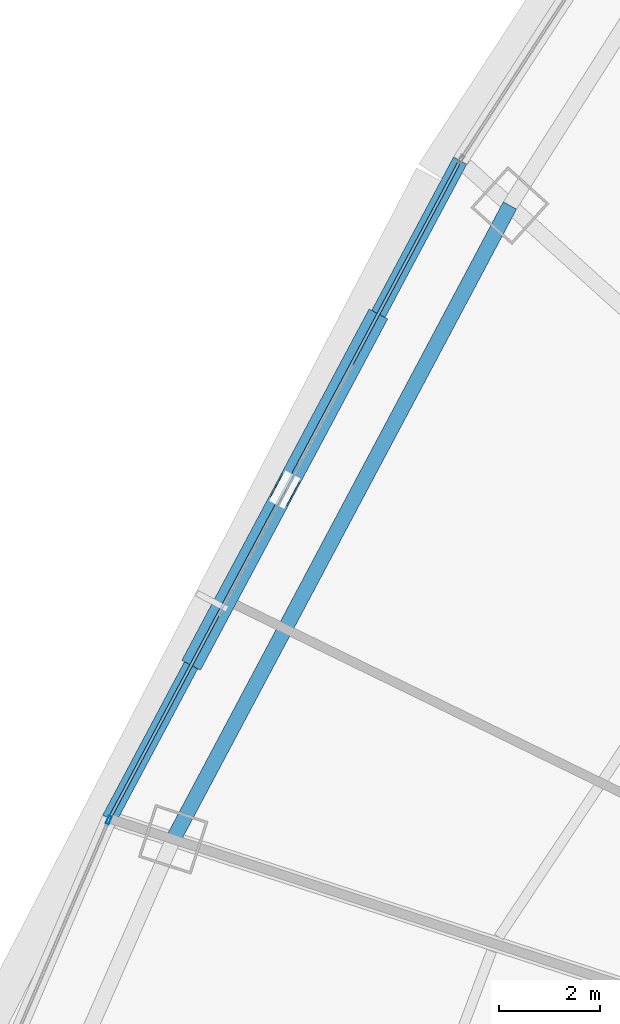
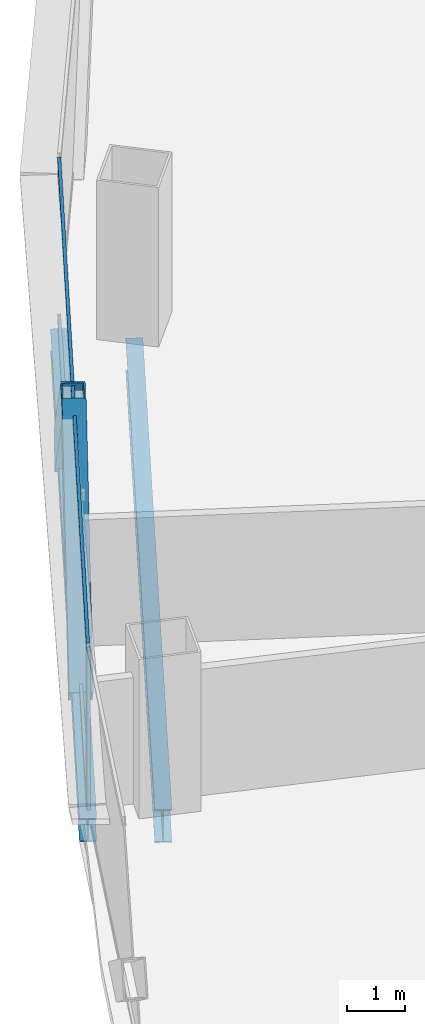
# One storey, part 14 of 37: 5 members, 2 beams, 2 elements without a shape of their own.
"""IFC4 building model written with IfcOpenShell, lengths in metres."""

from ifc_helpers import new_model, si_unit, direction, frame, origin, origin_2d, place, context, subcontext, project, spatial, hollow_rectangle, i_section, extrude, source, transform, mapped, material, layer, layer_set, material_profile, profile_set, type_object, element, aggregate, save


model = new_model("IFC4")

# Units and contexts
model_context = context("Model", 3, precision=1e-05, world=origin(), true_north=direction((0.0, 1.0)))
body_context = subcontext(model_context, "Body", "Model", "MODEL_VIEW")
ifc_project = project(units=[si_unit("LENGTHUNIT", "METRE"), si_unit("AREAUNIT", "SQUARE_METRE"), si_unit("VOLUMEUNIT", "CUBIC_METRE"), si_unit("PLANEANGLEUNIT", "RADIAN"), si_unit("MASSUNIT", "GRAM", prefix="KILO"), si_unit("THERMODYNAMICTEMPERATUREUNIT", "KELVIN"), si_unit("POWERUNIT", "WATT")], contexts=[model_context])

# Site, building, storey
site_placement = place(None, origin())
site = spatial("IfcSite", under=ifc_project, at=site_placement, CompositionType="ELEMENT")
building_placement = place(site_placement, origin())
building = spatial("IfcBuilding", under=site, at=building_placement, Name="Yunzhuo Pagoda Commons", CompositionType="ELEMENT")
storey_placement = place(building_placement, frame((0.0, 0.0, 52.179931640625)))
storey = spatial("IfcBuildingStorey", under=building, at=storey_placement, Name="L13", CompositionType="ELEMENT", Elevation=52.179931640625)

# Beams
ifc_material_1 = material(Name="Structural steel Q355B", Category="steel")
ifc_material_profile_1 = material_profile(ifc_material_1, i_section(OverallWidth=0.300048828125, OverallDepth=0.699951171875, WebThickness=0.012939453125, FlangeThickness=0.02392578125, at=origin_2d()), Name="Structural steel Q355B")
ifc_profile_set_1 = profile_set([ifc_material_profile_1], Name="Structural steel Q355B")
beam_type_1 = type_object("IfcBeamType", Name="B-RG1 Beam HN 700x300x13x24", PredefinedType="BEAM", material=ifc_profile_set_1)
shared_shape_1 = source(origin(), body_context, "Body", "SweptSolid", [
    extrude(i_section(OverallWidth=0.300048828125, OverallDepth=0.699951171875, WebThickness=0.012939453125, FlangeThickness=0.02392578125, at=origin_2d()), origin(), (0.0, 0.0, 1.0), 14.25390625),
])
beam_1_placement = place(storey_placement, frame((22.351318359375, 56.79443359375, -0.60986328125), z_axis=(-0.469118073628, -0.883135455633, 0.0), x_axis=(0.883135455633, -0.469118073628, 0.0)))
element("IfcBeam", 1, at=beam_1_placement, inside=storey, type_object=beam_type_1, Name="L13 column-ring beam 10", PredefinedType="BEAM", context=body_context, shape_type="MappedRepresentation", body=[
    mapped(shared_shape_1, transform((0.0, 0.0, 0.0), scale=1.0)),
])
ifc_material_profile_2 = material_profile(ifc_material_1, i_section(OverallWidth=0.300048828125, OverallDepth=0.488037109375, WebThickness=0.010986328125, FlangeThickness=0.01806640625, at=origin_2d()), Name="Structural steel Q355B")
ifc_profile_set_2 = profile_set([ifc_material_profile_2], Name="Structural steel Q355B")
beam_type_2 = type_object("IfcBeamType", Name="B-SP1 Beam HM 488x300x11x18", PredefinedType="BEAM", material=ifc_profile_set_2)
shared_shape_2 = source(origin(), body_context, "Body", "SweptSolid", [
    extrude(i_section(OverallWidth=0.300048828125, OverallDepth=0.488037109375, WebThickness=0.010986328125, FlangeThickness=0.01806640625, at=origin_2d()), origin(), (0.0, 0.0, 1.0), 14.806884765625),
])
beam_2_placement = place(storey_placement, frame((21.36181640625, 57.68505859375, -0.50390625), z_axis=(-0.470363145456, -0.882472952218, 0.0), x_axis=(0.882472952218, -0.470363145456, 0.0)))
element("IfcBeam", 2, at=beam_2_placement, inside=storey, type_object=beam_type_2, Name="L13 facade edge spandrel beam F3.2", PredefinedType="BEAM", context=body_context, shape_type="MappedRepresentation", body=[
    mapped(shared_shape_2, transform((0.0, 0.0, 0.0), scale=1.0)),
])

# Members
ifc_material_2 = material(Name="Structural steel Q420B", Category="steel")
ifc_material_profile_3 = material_profile(ifc_material_2, hollow_rectangle(XDim=0.419921875, YDim=0.719970703125, WallThickness=0.028076171875, at=origin_2d()), Name="Structural steel Q420B")
ifc_profile_set_3 = profile_set([ifc_material_profile_3], Name="Structural steel Q420B")
member_type_1 = type_object("IfcMemberType", Name="M-DL1 Brace BOX 720x420x28", PredefinedType="BRACE", material=ifc_profile_set_3)
shared_shape_3 = source(origin(), body_context, "Body", "SweptSolid", [
    extrude(hollow_rectangle(XDim=0.419921875, YDim=0.719970703125, WallThickness=0.028076171875, at=origin_2d()), origin(), (0.0, 0.0, 1.0), 5.184814453125),
])
for number, where, z_axis, x_axis, name in (
    (3, (19.620849609375, 54.41845703125, -0.260009765625), (-0.335831369084, -0.630084064739, 0.700150957223), (0.882477051666, -0.470355454187, 0.0), "L13 facade diamond brace F3.2L"),
    (4, (16.13818359375, 47.885009765625, -0.260009765625), (0.335883110253, 0.6300457052, 0.700160656997), (-0.882435082222, 0.470434188452, 0.0), "L13 facade diamond brace F3.2R"),
):
    element("IfcMember", number, at=place(storey_placement, frame(where, z_axis=z_axis, x_axis=x_axis)), inside=storey, type_object=member_type_1, Name=name, PredefinedType="BRACE", context=body_context, shape_type="MappedRepresentation", body=[
        mapped(shared_shape_3, transform((0.0, 0.0, 0.0), scale=1.0)),
    ])

# Curtain wall, member
ifc_material_3 = material(Name="Anodized aluminium 6063-T6", Category="aluminium")
ifc_layer = layer(ifc_material_3, 0.1650390625)
ifc_layer_set = layer_set([ifc_layer], Name="Anodized aluminium 6063-T6")
curtain_wall_type = type_object("IfcCurtainWallType", Name="CW-LOW Low-Zone Ribbon Curtain Wall", PredefinedType="NOTDEFINED", material=ifc_layer_set)
curtain_wall_1_placement = place(storey_placement, origin())
curtain_wall_1 = element("IfcCurtainWall", 5, at=curtain_wall_1_placement, inside=storey, type_object=curtain_wall_type, Name="L13 curtain wall CW-L13-F3B4", PredefinedType="NOTDEFINED")
ifc_material_profile_4 = material_profile(ifc_material_3, hollow_rectangle(XDim=0.06494140625, YDim=0.1650390625, WallThickness=0.00390625, at=origin_2d()), Name="Anodized aluminium 6063-T6")
ifc_profile_set_4 = profile_set([ifc_material_profile_4], Name="Anodized aluminium 6063-T6")
member_type_2 = type_object("IfcMemberType", Name="CW-LOW-M Mullion RHS 165x65x4", PredefinedType="MULLION", material=ifc_profile_set_4)
shared_shape_4 = source(origin(), body_context, "Body", "SweptSolid", [
    extrude(hollow_rectangle(XDim=0.06494140625, YDim=0.1650390625, WallThickness=0.00390625, at=origin_2d()), origin(), (0.0, 0.0, 1.0), 3.3701171875),
])
member_1_placement = place(storey_placement, frame((14.38427734375, 44.58837890625, 0.0), z_axis=(0.0, 0.0, 1.0), x_axis=(0.918993139703, -0.394273520769, 0.0)))
member_1 = element("IfcMember", 6, at=member_1_placement, type_object=member_type_2, Name="CW mullion 1", PredefinedType="MULLION", context=body_context, shape_type="MappedRepresentation", body=[
    mapped(shared_shape_4, transform((0.0, 0.0, 0.0), scale=1.0)),
])
aggregate(curtain_wall_1, [member_1])

# Curtain wall, members
curtain_wall_2_placement = place(storey_placement, origin())
curtain_wall_2 = element("IfcCurtainWall", 7, at=curtain_wall_2_placement, inside=storey, type_object=curtain_wall_type, Name="L13 curtain wall CW-L13-F3B3", PredefinedType="NOTDEFINED")
ifc_material_profile_5 = material_profile(ifc_material_3, hollow_rectangle(XDim=0.06005859375, YDim=0.139892578125, WallThickness=0.00341796875, at=origin_2d()), Name="Anodized aluminium 6063-T6")
ifc_profile_set_5 = profile_set([ifc_material_profile_5], Name="Anodized aluminium 6063-T6")
member_type_3 = type_object("IfcMemberType", Name="CW-LOW-T Transom RHS 140x60x3.5", PredefinedType="USERDEFINED", material=ifc_profile_set_5)
shared_shape_5 = source(origin(), body_context, "Body", "SweptSolid", [
    extrude(hollow_rectangle(XDim=0.06005859375, YDim=0.139892578125, WallThickness=0.00341796875, at=origin_2d()), origin(), (0.0, 0.0, 1.0), 14.677001953125),
])
member_2_placement = place(storey_placement, frame((21.331298828125, 57.6279296875, 0.030029296875), z_axis=(-0.470362882364, -0.882473092448, 0.0), x_axis=(0.882473092448, -0.470362882364, 0.0)))
member_2 = element("IfcMember", 8, at=member_2_placement, type_object=member_type_3, Name="CW transom 1.1", ObjectType="TRANSOM", PredefinedType="USERDEFINED", context=body_context, shape_type="MappedRepresentation", body=[
    mapped(shared_shape_5, transform((0.0, 0.0, 0.0), scale=1.0)),
])
member_3_placement = place(storey_placement, frame((21.331298828125, 57.6279296875, 3.34033203125), z_axis=(-0.470362882364, -0.882473092448, 0.0), x_axis=(0.882473092448, -0.470362882364, 0.0)))
member_3 = element("IfcMember", 9, at=member_3_placement, type_object=member_type_3, Name="CW transom 1.2", ObjectType="TRANSOM", PredefinedType="USERDEFINED", context=body_context, shape_type="MappedRepresentation", body=[
    mapped(shared_shape_5, transform((0.0, 0.0, 0.0), scale=1.0)),
])
aggregate(curtain_wall_2, [member_2, member_3])

save(model, "model.ifc")
